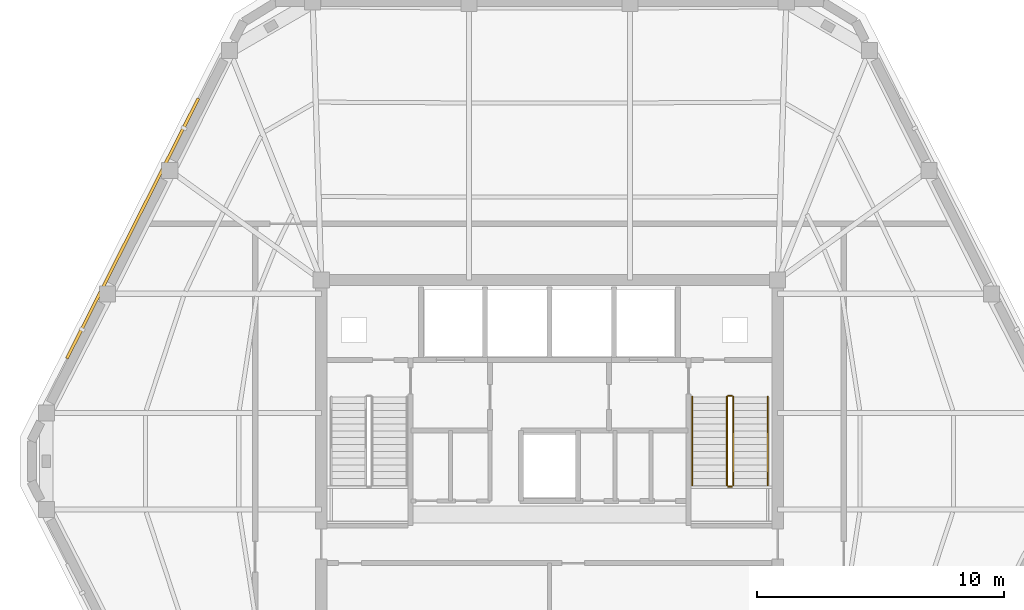
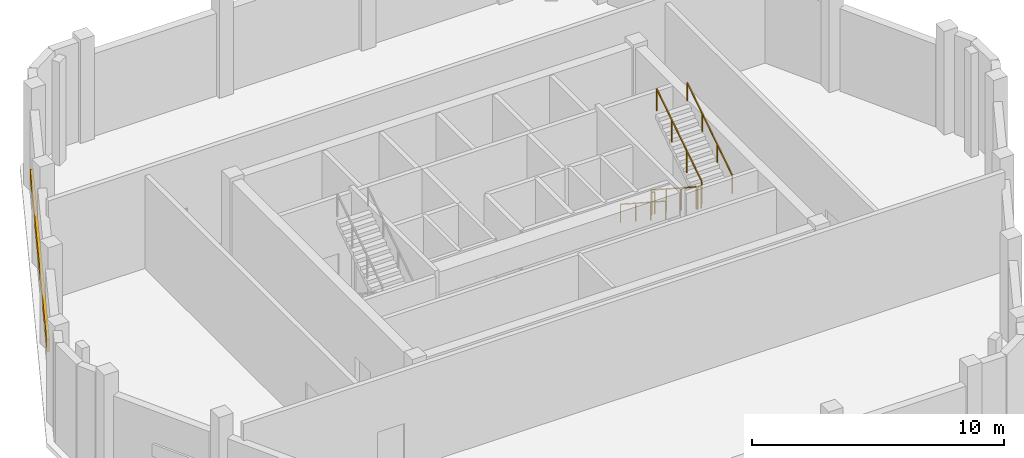
# One storey, part 7 of 8: 6 railings, 1 shading device.
"""IFC4 building model written with IfcOpenShell, lengths in metres."""

from ifc_helpers import new_model, si_unit, direction, frame, origin, origin_2d, place, context, subcontext, project, spatial, rectangle, extrude, material, layer, layer_set, type_object, element, save


model = new_model("IFC4")

# Units and contexts
model_context = context("Model", 3, precision=1e-05, world=origin(), true_north=direction((0.0, 1.0)))
body_context = subcontext(model_context, "Body", "Model", "MODEL_VIEW")
ifc_project = project(units=[si_unit("LENGTHUNIT", "METRE"), si_unit("AREAUNIT", "SQUARE_METRE"), si_unit("VOLUMEUNIT", "CUBIC_METRE"), si_unit("PLANEANGLEUNIT", "RADIAN"), si_unit("MASSUNIT", "GRAM", prefix="KILO")], contexts=[model_context])

# Site, building, storey
site_placement = place(None, origin())
site = spatial("IfcSite", under=ifc_project, at=site_placement, CompositionType="ELEMENT")
building_placement = place(site_placement, origin())
building = spatial("IfcBuilding", under=site, at=building_placement, Name="Cinnabar Lancet Tower", CompositionType="ELEMENT")
storey_placement = place(building_placement, frame((0.0, 0.0, 295.5)))
storey = spatial("IfcBuildingStorey", under=building, at=storey_placement, Name="L78", CompositionType="ELEMENT", Elevation=295.5)

# Shading device
ifc_material_1 = material(Name="Anodized acoustic plant weather louvre", Category="aluminium")
ifc_layer = layer(ifc_material_1, 0.094970703125)
ifc_layer_set = layer_set([ifc_layer], Name="Anodized acoustic plant weather louvre")
shading_device_type = type_object("IfcShadingDeviceType", Name="ENV-SHD-LVR-600", PredefinedType="JALOUSIE", material=ifc_layer_set)
shading_device_placement = place(storey_placement, frame((15.549072265625, 35.2060546875, 1.849853515625), z_axis=(0.0, 0.0, 1.0), x_axis=(-0.451329261197, -0.892357494498, 0.0)))
element("IfcShadingDevice", 1, at=shading_device_placement, inside=storey, type_object=shading_device_type, Name="L78 Face 5 Acoustic Plant Weather Louvre", PredefinedType="JALOUSIE", context=body_context, shape_type="SweptSolid", body=[
    extrude(rectangle(XDim=11.777099609375, YDim=0.1201171875, at=origin_2d()), origin(), (0.0, 0.0, 1.0), 0.60009765625),
])

# Railings
ifc_material_2 = material(Name="Painted galvanized steel balustrade", Category="steel")
railing_type_1 = type_object("IfcRailingType", Name="GUARD-STAIR", PredefinedType="GUARDRAIL", material=ifc_material_2)
railing_1_placement = place(storey_placement, frame((39.574951171875, 28.39990234375, 0.178466796875)))
element("IfcRailing", 2, at=railing_1_placement, inside=storey, type_object=railing_type_1, Name="L78 ST-2 stair guard 1", PredefinedType="GUARDRAIL", context=body_context, shape_type="SweptSolid", body=[
    extrude(rectangle(XDim=0.048095703125, YDim=0.048095703125, at=origin_2d()), frame((0.0, 0.0, 1.076171875), z_axis=(0.0, -0.838677772457, 0.544627940879), x_axis=(1.0, 0.0, 0.0)), (0.0, 0.0, 1.0), 4.2626953125),
    extrude(rectangle(XDim=0.0419921875, YDim=0.0419921875, at=origin_2d()), origin(), (0.0, 0.0, 1.0), 1.052001953125),
    extrude(rectangle(XDim=0.0419921875, YDim=0.0419921875, at=origin_2d()), frame((0.0, -1.191650390625, 0.77392578125)), (0.0, 0.0, 1.0), 1.052001953125),
    extrude(rectangle(XDim=0.0419921875, YDim=0.0419921875, at=origin_2d()), frame((0.0, -2.38330078125, 1.547607421875)), (0.0, 0.0, 1.0), 1.052001953125),
    extrude(rectangle(XDim=0.0419921875, YDim=0.0419921875, at=origin_2d()), frame((0.0, -3.574951171875, 2.321533203125)), (0.0, 0.0, 1.0), 1.052001953125),
])
railing_2_placement = place(storey_placement, frame((39.625, 24.77490234375, 2.5)))
element("IfcRailing", 3, at=railing_2_placement, inside=storey, type_object=railing_type_1, Name="L78 ST-2 stair guard 2", PredefinedType="GUARDRAIL", context=body_context, shape_type="SweptSolid", body=[
    extrude(rectangle(XDim=0.048095703125, YDim=0.048095703125, at=origin_2d()), frame((0.0, 0.0, 1.076171875), z_axis=(1.0, 0.0, 0.0), x_axis=(0.0, 1.0, 0.0)), (0.0, 0.0, 1.0), 0.14990234375),
    extrude(rectangle(XDim=0.0419921875, YDim=0.0419921875, at=origin_2d()), origin(), (0.0, 0.0, 1.0), 1.052001953125),
    extrude(rectangle(XDim=0.0419921875, YDim=0.0419921875, at=origin_2d()), frame((0.14990234375, 0.0, 0.0)), (0.0, 0.0, 1.0), 1.052001953125),
])
railing_3_placement = place(storey_placement, frame((39.824951171875, 24.824951171875, 2.678466796875)))
element("IfcRailing", 4, at=railing_3_placement, inside=storey, type_object=railing_type_1, Name="L78 ST-2 stair guard 3", PredefinedType="GUARDRAIL", context=body_context, shape_type="SweptSolid", body=[
    extrude(rectangle(XDim=0.048095703125, YDim=0.048095703125, at=origin_2d()), frame((0.0, 0.0, 1.076171875), z_axis=(0.0, 0.838677772457, 0.544627940879), x_axis=(-1.0, 0.0, 0.0)), (0.0, 0.0, 1.0), 4.2626953125),
    extrude(rectangle(XDim=0.0419921875, YDim=0.0419921875, at=origin_2d()), origin(), (0.0, 0.0, 1.0), 1.052001953125),
    extrude(rectangle(XDim=0.0419921875, YDim=0.0419921875, at=origin_2d()), frame((0.0, 1.191650390625, 0.77392578125)), (0.0, 0.0, 1.0), 1.052001953125),
    extrude(rectangle(XDim=0.0419921875, YDim=0.0419921875, at=origin_2d()), frame((0.0, 2.38330078125, 1.547607421875)), (0.0, 0.0, 1.0), 1.052001953125),
    extrude(rectangle(XDim=0.0419921875, YDim=0.0419921875, at=origin_2d()), frame((0.0, 3.574951171875, 2.321533203125)), (0.0, 0.0, 1.0), 1.052001953125),
])
railing_4_placement = place(storey_placement, frame((39.625, 28.449951171875, 0.0)))
element("IfcRailing", 5, at=railing_4_placement, inside=storey, type_object=railing_type_1, Name="L78 ST-2 stair guard 4", PredefinedType="GUARDRAIL", context=body_context, shape_type="SweptSolid", body=[
    extrude(rectangle(XDim=0.048095703125, YDim=0.048095703125, at=origin_2d()), frame((0.0, 0.0, 1.076171875), z_axis=(1.0, 0.0, 0.0), x_axis=(0.0, 1.0, 0.0)), (0.0, 0.0, 1.0), 0.14990234375),
    extrude(rectangle(XDim=0.0419921875, YDim=0.0419921875, at=origin_2d()), origin(), (0.0, 0.0, 1.0), 1.052001953125),
    extrude(rectangle(XDim=0.0419921875, YDim=0.0419921875, at=origin_2d()), frame((0.14990234375, 0.0, 0.0)), (0.0, 0.0, 1.0), 1.052001953125),
])
ifc_material_3 = material(Name="Brushed stainless steel handrail", Category="steel")
railing_type_2 = type_object("IfcRailingType", Name="HANDRAIL-STAIR", PredefinedType="HANDRAIL", material=ifc_material_3)
railing_5_placement = place(storey_placement, frame((38.175048828125, 28.39990234375, 0.178466796875)))
element("IfcRailing", 6, at=railing_5_placement, inside=storey, type_object=railing_type_2, Name="L78 ST-2 stair handrail 1", PredefinedType="HANDRAIL", context=body_context, shape_type="SweptSolid", body=[
    extrude(rectangle(XDim=0.048095703125, YDim=0.048095703125, at=origin_2d()), frame((0.0, 0.0, 0.8759765625), z_axis=(0.0, -0.838677772457, 0.544627940879), x_axis=(1.0, 0.0, 0.0)), (0.0, 0.0, 1.0), 4.2626953125),
    extrude(rectangle(XDim=0.0419921875, YDim=0.0419921875, at=origin_2d()), origin(), (0.0, 0.0, 1.0), 0.851806640625),
    extrude(rectangle(XDim=0.0419921875, YDim=0.0419921875, at=origin_2d()), frame((0.0, -1.191650390625, 0.77392578125)), (0.0, 0.0, 1.0), 0.851806640625),
    extrude(rectangle(XDim=0.0419921875, YDim=0.0419921875, at=origin_2d()), frame((0.0, -2.38330078125, 1.547607421875)), (0.0, 0.0, 1.0), 0.851806640625),
    extrude(rectangle(XDim=0.0419921875, YDim=0.0419921875, at=origin_2d()), frame((0.0, -3.574951171875, 2.321533203125)), (0.0, 0.0, 1.0), 0.851806640625),
])
railing_6_placement = place(storey_placement, frame((41.22509765625, 24.824951171875, 2.678466796875)))
element("IfcRailing", 7, at=railing_6_placement, inside=storey, type_object=railing_type_2, Name="L78 ST-2 stair handrail 2", PredefinedType="HANDRAIL", context=body_context, shape_type="SweptSolid", body=[
    extrude(rectangle(XDim=0.048095703125, YDim=0.048095703125, at=origin_2d()), frame((0.0, 0.0, 0.8759765625), z_axis=(0.0, 0.838677772457, 0.544627940879), x_axis=(-1.0, 0.0, 0.0)), (0.0, 0.0, 1.0), 4.2626953125),
    extrude(rectangle(XDim=0.0419921875, YDim=0.0419921875, at=origin_2d()), origin(), (0.0, 0.0, 1.0), 0.851806640625),
    extrude(rectangle(XDim=0.0419921875, YDim=0.0419921875, at=origin_2d()), frame((0.0, 1.191650390625, 0.77392578125)), (0.0, 0.0, 1.0), 0.851806640625),
    extrude(rectangle(XDim=0.0419921875, YDim=0.0419921875, at=origin_2d()), frame((0.0, 2.38330078125, 1.547607421875)), (0.0, 0.0, 1.0), 0.851806640625),
    extrude(rectangle(XDim=0.0419921875, YDim=0.0419921875, at=origin_2d()), frame((0.0, 3.574951171875, 2.321533203125)), (0.0, 0.0, 1.0), 0.851806640625),
])

save(model, "model.ifc")
